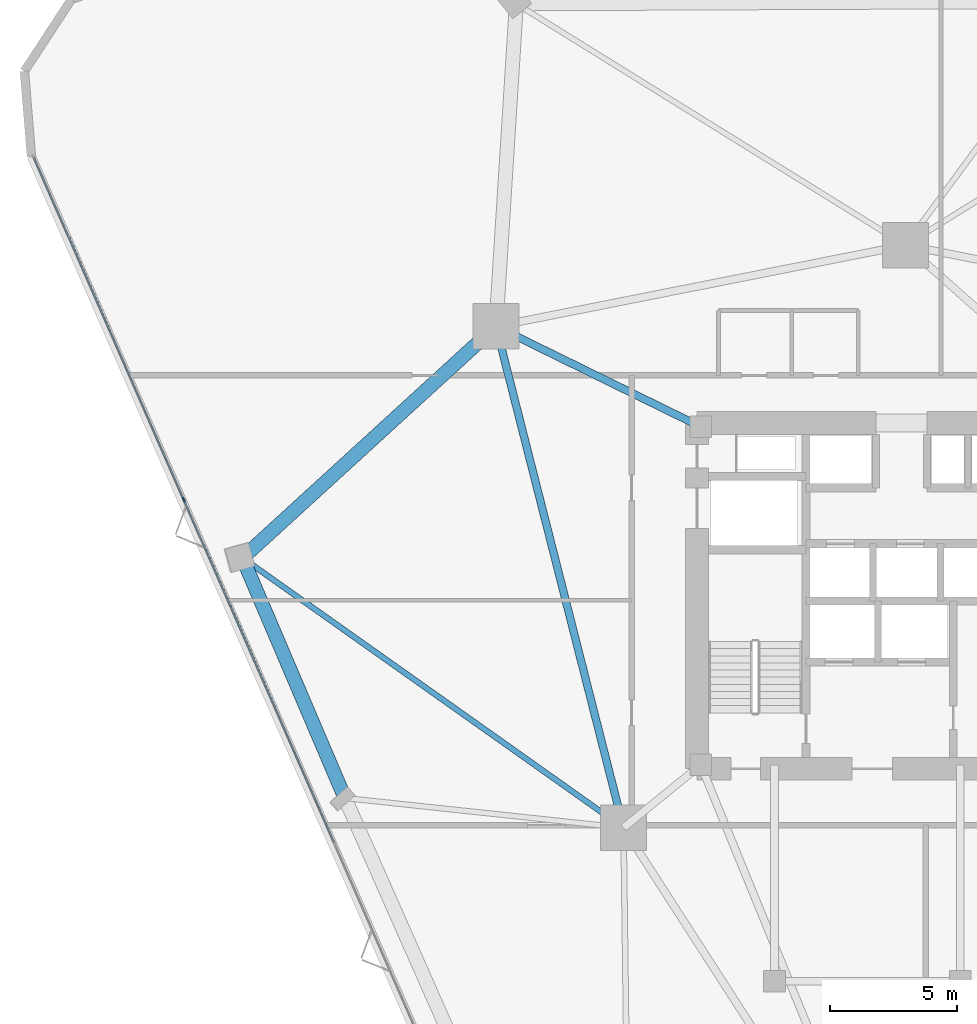
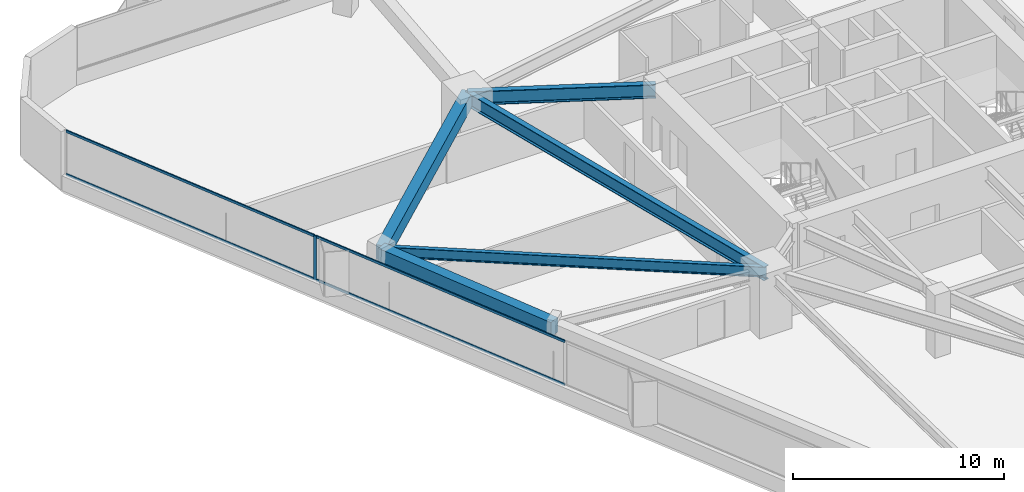
# One storey, part 7 of 20: 5 beams, 5 members, 1 element without a shape of its own.
"""IFC4 building model written with IfcOpenShell, lengths in metres."""

from ifc_helpers import new_model, si_unit, direction, frame, origin, origin_2d, place, context, subcontext, project, spatial, rectangle, i_section, extrude, material, layer, layer_set, material_profile, profile_set, type_object, element, aggregate, save


model = new_model("IFC4")

# Units and contexts
model_context = context("Model", 3, precision=1e-05, world=origin(), true_north=direction((0.0, 1.0)))
body_context = subcontext(model_context, "Body", "Model", "MODEL_VIEW")
ifc_project = project(units=[si_unit("LENGTHUNIT", "METRE"), si_unit("AREAUNIT", "SQUARE_METRE"), si_unit("VOLUMEUNIT", "CUBIC_METRE"), si_unit("PLANEANGLEUNIT", "RADIAN"), si_unit("MASSUNIT", "GRAM", prefix="KILO")], contexts=[model_context])

# Site, building, storey
site_placement = place(None, origin())
site = spatial("IfcSite", under=ifc_project, at=site_placement, CompositionType="ELEMENT")
building_placement = place(site_placement, origin())
building = spatial("IfcBuilding", under=site, at=building_placement, Name="Talyreon Biosciences Tower", CompositionType="ELEMENT")
storey_placement = place(building_placement, frame((0.0, 0.0, 26.449951171875)))
storey = spatial("IfcBuildingStorey", under=building, at=storey_placement, Name="L06", CompositionType="ELEMENT", Elevation=26.449951171875)

# Curtain wall, members
ifc_material_1 = material(Name="Thermally broken aluminium and low-E glazing", Category="aluminium")
ifc_layer = layer(ifc_material_1, 0.195068359375)
ifc_layer_set = layer_set([ifc_layer], Name="Thermally broken aluminium and low-E glazing")
curtain_wall_type = type_object("IfcCurtainWallType", Name="CurtainWall_Zone1WetLab", PredefinedType="NOTDEFINED", material=ifc_layer_set)
curtain_wall_placement = place(storey_placement, origin())
curtain_wall = element("IfcCurtainWall", 1, at=curtain_wall_placement, inside=storey, type_object=curtain_wall_type, Name="L06 Unitised Curtain Wall FCW-L06-00", PredefinedType="NOTDEFINED")
ifc_material_2 = material(Name="Anodised thermally broken aluminium", Category="aluminium")
ifc_material_profile_1 = material_profile(ifc_material_2, rectangle(XDim=0.06494140625, YDim=0.179931640625, at=origin_2d()), Name="ALUM MULLION 65x180")
ifc_profile_set_1 = profile_set([ifc_material_profile_1], Name="Anodised thermally broken aluminium")
member_type_1 = type_object("IfcMemberType", Name="CWMullion_65x180", PredefinedType="MULLION", material=ifc_profile_set_1)
member_1_placement = place(storey_placement, frame((37.621337890625, 71.783935546875, 0.81005859375), z_axis=(0.0, 0.0, 1.0), x_axis=(-0.915926900592, -0.401345129249, 0.0)))
member_1 = element("IfcMember", 2, at=member_1_placement, type_object=member_type_1, Name="CW2 mullion 5", PredefinedType="MULLION", context=body_context, shape_type="SweptSolid", body=[
    extrude(rectangle(XDim=0.06494140625, YDim=0.179931640625, at=origin_2d()), origin(), (0.0, 0.0, 1.0), 2.56494140625),
])
ifc_material_profile_2 = material_profile(ifc_material_2, rectangle(XDim=0.06494140625, YDim=0.139892578125, at=origin_2d()), Name="ALUM TRANSOM 65x140")
ifc_profile_set_2 = profile_set([ifc_material_profile_2], Name="Anodised thermally broken aluminium")
member_type_2 = type_object("IfcMemberType", Name="CWTransom_65x140", PredefinedType="USERDEFINED", material=ifc_profile_set_2)
member_2_placement = place(storey_placement, frame((43.530517578125, 58.298095703125, 0.842529296875), z_axis=(-0.401345318485, 0.915926817672, 0.0), x_axis=(-0.915926817672, -0.401345318485, 0.0)))
member_2 = element("IfcMember", 3, at=member_2_placement, type_object=member_type_2, Name="CW2 transom 4.1", ObjectType="TRANSOM", PredefinedType="USERDEFINED", context=body_context, shape_type="SweptSolid", body=[
    extrude(rectangle(XDim=0.06494140625, YDim=0.139892578125, at=origin_2d()), origin(), (0.0, 0.0, 1.0), 14.691162109375),
])
member_3_placement = place(storey_placement, frame((43.530517578125, 58.298095703125, 3.342529296875), z_axis=(-0.401345318485, 0.915926817672, 0.0), x_axis=(-0.915926817672, -0.401345318485, 0.0)))
member_3 = element("IfcMember", 4, at=member_3_placement, type_object=member_type_2, Name="CW2 transom 4.2", ObjectType="TRANSOM", PredefinedType="USERDEFINED", context=body_context, shape_type="SweptSolid", body=[
    extrude(rectangle(XDim=0.06494140625, YDim=0.139892578125, at=origin_2d()), origin(), (0.0, 0.0, 1.0), 14.691162109375),
])
member_4_placement = place(storey_placement, frame((37.608154296875, 71.8134765625, 0.842529296875), z_axis=(-0.401337753299, 0.915930132585, 0.0), x_axis=(-0.915930132585, -0.401337753299, 0.0)))
member_4 = element("IfcMember", 5, at=member_4_placement, type_object=member_type_2, Name="CW2 transom 5.1", ObjectType="TRANSOM", PredefinedType="USERDEFINED", context=body_context, shape_type="SweptSolid", body=[
    extrude(rectangle(XDim=0.06494140625, YDim=0.139892578125, at=origin_2d()), origin(), (0.0, 0.0, 1.0), 14.65869140625),
])
member_5_placement = place(storey_placement, frame((37.608154296875, 71.8134765625, 3.342529296875), z_axis=(-0.401337753299, 0.915930132585, 0.0), x_axis=(-0.915930132585, -0.401337753299, 0.0)))
member_5 = element("IfcMember", 6, at=member_5_placement, type_object=member_type_2, Name="CW2 transom 5.2", ObjectType="TRANSOM", PredefinedType="USERDEFINED", context=body_context, shape_type="SweptSolid", body=[
    extrude(rectangle(XDim=0.06494140625, YDim=0.139892578125, at=origin_2d()), origin(), (0.0, 0.0, 1.0), 14.65869140625),
])
aggregate(curtain_wall, [member_1, member_2, member_3, member_4, member_5])

# Beams
ifc_material_3 = material(Name="Precast concrete C45/55", Category="concrete")
ifc_material_profile_3 = material_profile(ifc_material_3, rectangle(XDim=0.550048828125, YDim=0.85009765625, at=origin_2d()), Name="RCB 550x850")
ifc_profile_set_3 = profile_set([ifc_material_profile_3], Name="Precast concrete C45/55")
beam_type_1 = type_object("IfcBeamType", Name="ExpressedSpandrel_550x850", PredefinedType="SPANDREL", material=ifc_profile_set_3)
beam_1_placement = place(storey_placement, frame((49.897705078125, 78.5986328125, 2.949951171875), z_axis=(-0.738209882893, -0.674571099885, 0.0), x_axis=(0.674571099885, -0.738209882893, 0.0)))
element("IfcBeam", 7, at=beam_1_placement, inside=storey, type_object=beam_type_1, Name="L06 Expressed Horizontal Concrete Spandrel 09", PredefinedType="SPANDREL", context=body_context, shape_type="SweptSolid", body=[
    extrude(rectangle(XDim=0.550048828125, YDim=0.85009765625, at=origin_2d()), origin(), (0.0, 0.0, 1.0), 13.50390625),
])
beam_2_placement = place(storey_placement, frame((39.928955078125, 69.4892578125, 2.949951171875), z_axis=(0.392360078213, -0.919811703026, 0.0), x_axis=(0.919811703026, 0.392360078213, 0.0)))
element("IfcBeam", 8, at=beam_2_placement, inside=storey, type_object=beam_type_1, Name="L06 Expressed Horizontal Concrete Spandrel 10", PredefinedType="SPANDREL", context=body_context, shape_type="SweptSolid", body=[
    extrude(rectangle(XDim=0.550048828125, YDim=0.85009765625, at=origin_2d()), origin(), (0.0, 0.0, 1.0), 10.26513671875),
])
ifc_material_4 = material(Name="Steel SM355", Category="steel")
ifc_material_profile_4 = material_profile(ifc_material_4, i_section(OverallWidth=0.300048828125, OverallDepth=0.800048828125, WebThickness=0.017578125, FlangeThickness=0.032958984375, FilletRadius=0.030029296875, at=origin_2d()), Name="HE800B")
ifc_profile_set_4 = profile_set([ifc_material_profile_4], Name="Steel SM355")
beam_type_2 = type_object("IfcBeamType", Name="SteelGirder_HE800B", PredefinedType="BEAM", material=ifc_profile_set_4)
beam_3_placement = place(storey_placement, frame((49.897705078125, 78.5986328125, 2.97509765625), z_axis=(0.246537082299, -0.969133358755, 0.0), x_axis=(0.969133358755, 0.246537082299, 0.0)))
element("IfcBeam", 9, at=beam_3_placement, inside=storey, type_object=beam_type_2, Name="L06 Mega-Ring Girder 5", PredefinedType="BEAM", context=body_context, shape_type="SweptSolid", body=[
    extrude(i_section(OverallWidth=0.300048828125, OverallDepth=0.800048828125, WebThickness=0.017578125, FlangeThickness=0.032958984375, FilletRadius=0.030029296875, at=origin_2d()), origin(), (0.0, 0.0, 1.0), 20.34619140625),
])
beam_4_placement = place(storey_placement, frame((57.949951171875, 74.64990234375, 2.97509765625), z_axis=(-0.897852360314, 0.440296648952, 0.0), x_axis=(-0.440296648952, -0.897852360314, 0.0)))
element("IfcBeam", 10, at=beam_4_placement, inside=storey, type_object=beam_type_2, Name="L06 Radial Primary Girder 5", PredefinedType="BEAM", context=body_context, shape_type="SweptSolid", body=[
    extrude(i_section(OverallWidth=0.300048828125, OverallDepth=0.800048828125, WebThickness=0.017578125, FlangeThickness=0.032958984375, FilletRadius=0.030029296875, at=origin_2d()), origin(), (0.0, 0.0, 1.0), 8.96826171875),
])
ifc_material_profile_5 = material_profile(ifc_material_4, i_section(OverallWidth=0.219970703125, OverallDepth=0.60009765625, WebThickness=0.011962890625, FlangeThickness=0.01904296875, FilletRadius=0.02392578125, at=origin_2d()), Name="IPE600")
ifc_profile_set_5 = profile_set([ifc_material_profile_5], Name="Steel SM355")
beam_type_3 = type_object("IfcBeamType", Name="SteelJoist_IPE600", PredefinedType="JOIST", material=ifc_profile_set_5)
beam_5_placement = place(storey_placement, frame((54.913818359375, 58.88037109375, 3.074951171875), z_axis=(-0.816162965028, 0.577821784391, 0.0), x_axis=(-0.577821784391, -0.816162965028, 0.0)))
element("IfcBeam", 11, at=beam_5_placement, inside=storey, type_object=beam_type_3, Name="L06 Radial Composite Floor Joist PC-SW1", PredefinedType="JOIST", context=body_context, shape_type="SweptSolid", body=[
    extrude(i_section(OverallWidth=0.219970703125, OverallDepth=0.60009765625, WebThickness=0.011962890625, FlangeThickness=0.01904296875, FilletRadius=0.02392578125, at=origin_2d()), origin(), (0.0, 0.0, 1.0), 18.360107421875),
])

save(model, "model.ifc")
